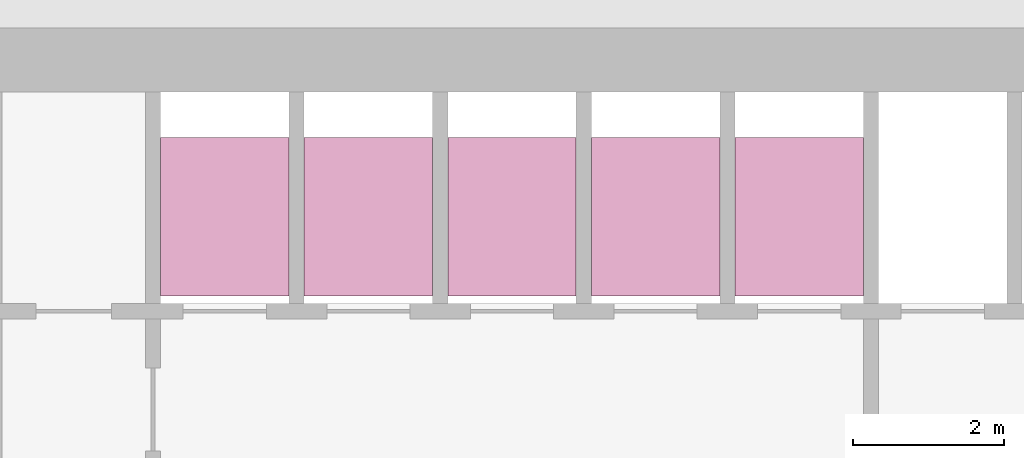
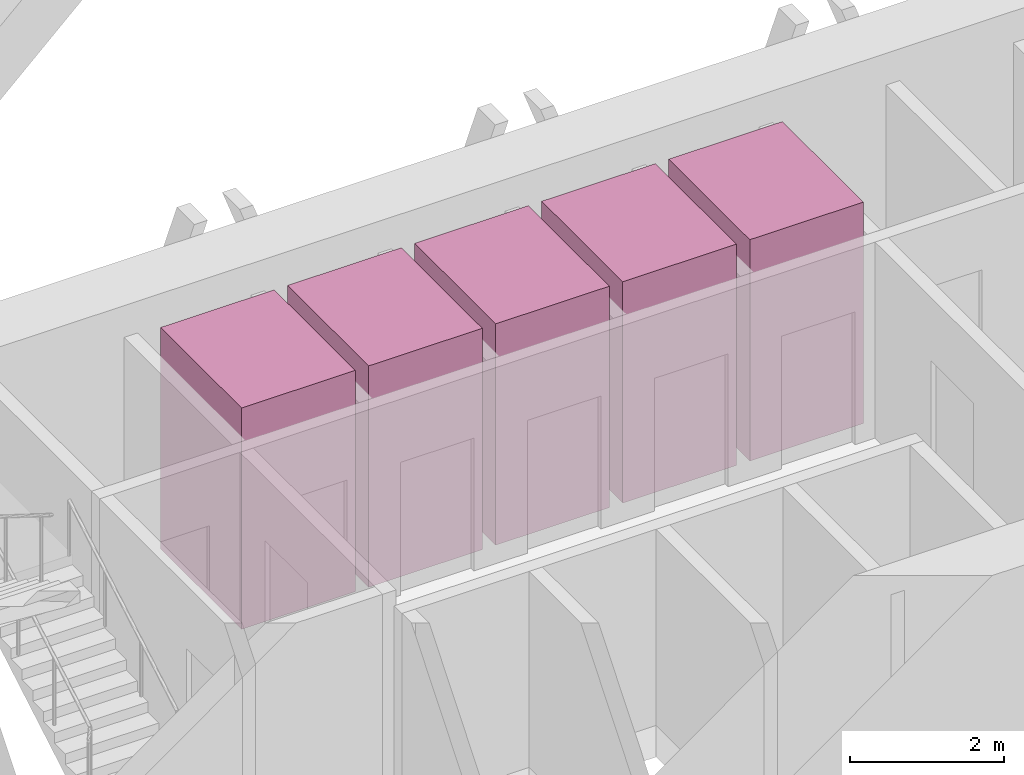
# One storey, part 19 of 19: 5 transport elements.
"""IFC4 building model written with IfcOpenShell, lengths in metres."""

from ifc_helpers import new_model, si_unit, direction, frame, origin, origin_2d, place, context, subcontext, project, spatial, rectangle, extrude, material, type_object, element, save


model = new_model("IFC4")

# Units and contexts
model_context = context("Model", 3, precision=1e-05, world=origin(), true_north=direction((0.0, 1.0)))
body_context = subcontext(model_context, "Body", "Model", "MODEL_VIEW")
ifc_project = project(units=[si_unit("LENGTHUNIT", "METRE"), si_unit("AREAUNIT", "SQUARE_METRE"), si_unit("VOLUMEUNIT", "CUBIC_METRE"), si_unit("PLANEANGLEUNIT", "RADIAN"), si_unit("MASSUNIT", "GRAM", prefix="KILO")], contexts=[model_context])

# Site, building, storey
site_placement = place(None, origin())
site = spatial("IfcSite", under=ifc_project, at=site_placement, CompositionType="ELEMENT")
building_placement = place(site_placement, origin())
building = spatial("IfcBuilding", under=site, at=building_placement, Name="Altiplano Prism Tower", CompositionType="ELEMENT")
storey_placement = place(building_placement, frame((0.0, 0.0, 70.199951171875)))
storey = spatial("IfcBuildingStorey", under=building, at=storey_placement, Name="L17", CompositionType="ELEMENT", Elevation=70.199951171875)

# Transport elements
ifc_material = material(Name="Stainless steel lift car", Category="steel")
transport_element_type = type_object("IfcTransportElementType", Name="Passenger lift car 1600 x 2100", PredefinedType="ELEVATOR", material=ifc_material)
for number, where, z_axis, x_axis, name in (
    (1, (79.050048828125, 101.75, 0.050048828125), (0.0, 0.0, 1.0), (1.0, 0.0, 0.0), "Low Zone Passenger Lift 1"),
    (2, (80.949951171875, 101.75, 0.050048828125), (0.0, 0.0, 1.0), (1.0, 0.0, 0.0), "Low Zone Passenger Lift 2"),
    (3, (82.85009765625, 101.75, 0.050048828125), (0.0, 0.0, 1.0), (1.0, 0.0, 0.0), "Low Zone Passenger Lift 3"),
    (4, (84.75, 101.75, 0.050048828125), (0.0, 0.0, 1.0), (1.0, 0.0, 0.0), "Low Zone Passenger Lift 4"),
    (5, (86.64990234375, 101.75, 0.050048828125), (0.0, 0.0, 1.0), (1.0, 0.0, 0.0), "Low Zone Passenger Lift 5"),
):
    element("IfcTransportElement", number, at=place(storey_placement, frame(where, z_axis=z_axis, x_axis=x_axis)), inside=storey, type_object=transport_element_type, Name=name, PredefinedType="ELEVATOR", context=body_context, shape_type="SweptSolid", body=[
        extrude(rectangle(XDim=1.699951171875, YDim=2.10009765625, at=origin_2d()), origin(), (0.0, 0.0, 1.0), 3.5),
    ])

save(model, "model.ifc")
